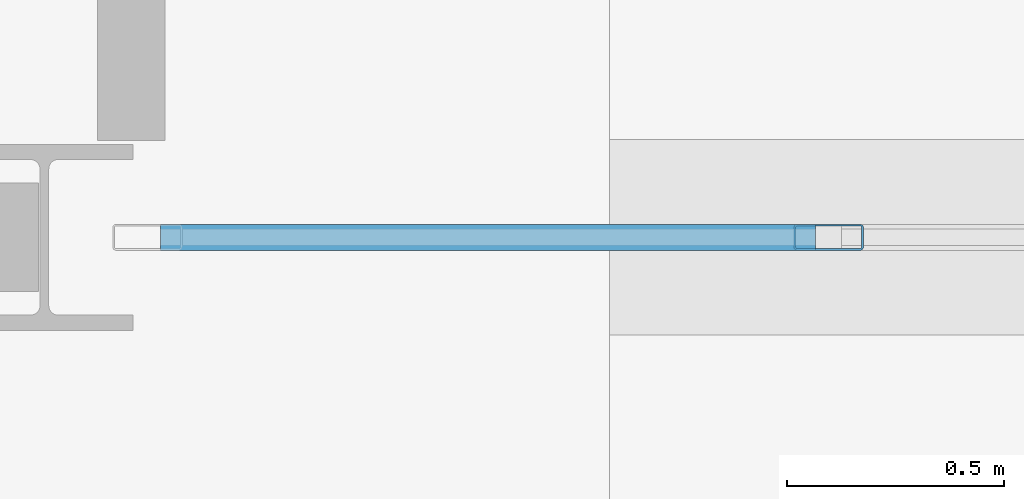
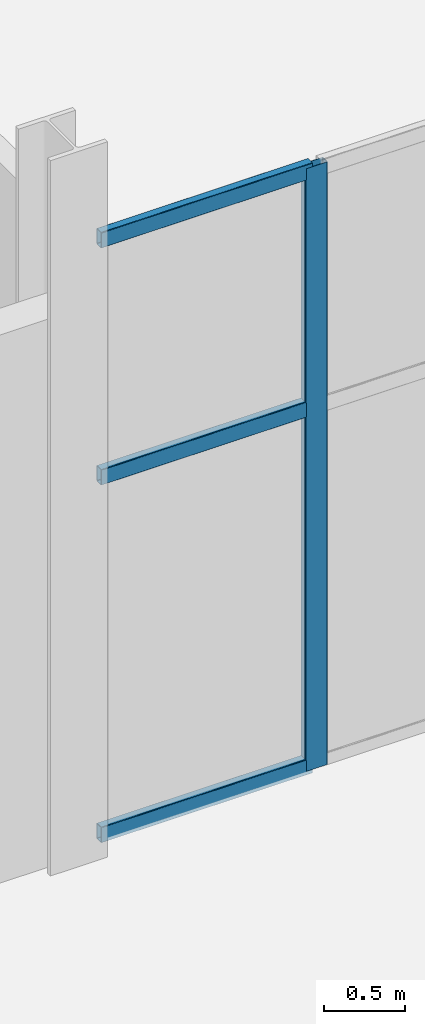
# One storey, part 25 of 95: 4 members, 1 element without a shape of its own.
"""IFC4 building model written with IfcOpenShell, lengths in metres."""

from ifc_helpers import new_model, si_unit, direction, frame, origin, origin_2d, place, context, subcontext, project, spatial, hollow_rectangle, extrude, material, material_profile, profile_set, type_object, element, aggregate, save


model = new_model("IFC4")

# Units and contexts
model_context = context("Model", 3, precision=1e-05, world=origin(), true_north=direction((0.0, 1.0)))
body_context = subcontext(model_context, "Body", "Model", "MODEL_VIEW")
ifc_project = project(units=[si_unit("LENGTHUNIT", "METRE"), si_unit("AREAUNIT", "SQUARE_METRE"), si_unit("VOLUMEUNIT", "CUBIC_METRE"), si_unit("PLANEANGLEUNIT", "RADIAN"), si_unit("MASSUNIT", "GRAM", prefix="KILO")], contexts=[model_context])

# Site, building, storey
site_placement = place(None, origin())
site = spatial("IfcSite", under=ifc_project, at=site_placement, CompositionType="ELEMENT")
building_placement = place(site_placement, origin())
building = spatial("IfcBuilding", under=site, at=building_placement, Name="Shengluoqiao Park Theatre", CompositionType="ELEMENT")
storey_placement = place(building_placement, origin())
storey = spatial("IfcBuildingStorey", under=building, at=storey_placement, Name="L00", CompositionType="ELEMENT", Elevation=0.0)

# Curtain wall, members
ifc_material = material(Name="Aluminium 6063-T6", Category="aluminium")
curtain_wall_type = type_object("IfcCurtainWallType", Name="ENV-CW-STUDIO", PredefinedType="NOTDEFINED", material=ifc_material)
curtain_wall_placement = place(storey_placement, origin())
curtain_wall = element("IfcCurtainWall", 1, at=curtain_wall_placement, inside=storey, type_object=curtain_wall_type, Name="L00 Curtain Wall CWX-L00-0012", PredefinedType="NOTDEFINED")
ifc_material_profile_1 = material_profile(ifc_material, hollow_rectangle(XDim=0.06005859375, YDim=0.159912109375, WallThickness=0.00390625, InnerFilletRadius=0.00390625, OuterFilletRadius=0.008056640625, at=origin_2d()), Name="ALU MULLION 160x60x4")
ifc_profile_set_1 = profile_set([ifc_material_profile_1], Name="Aluminium 6063-T6")
member_type_1 = type_object("IfcMemberType", Name="ENV-MUL-160", PredefinedType="MULLION", material=ifc_profile_set_1)
member_1_placement = place(storey_placement, frame((29.404541015625, 30.39990234375, 0.0), z_axis=(0.0, 0.0, 1.0), x_axis=(0.0, 1.0, 0.0)))
member_1 = element("IfcMember", 2, at=member_1_placement, type_object=member_type_1, Name="CW-02 mullion 2", PredefinedType="MULLION", context=body_context, shape_type="SweptSolid", body=[
    extrude(hollow_rectangle(XDim=0.06005859375, YDim=0.159912109375, WallThickness=0.00390625, InnerFilletRadius=0.00390625, OuterFilletRadius=0.008056640625, at=origin_2d()), origin(), (0.0, 0.0, 1.0), 4.550048828125),
])
ifc_material_profile_2 = material_profile(ifc_material, hollow_rectangle(XDim=0.06005859375, YDim=0.1201171875, WallThickness=0.00390625, InnerFilletRadius=0.00390625, OuterFilletRadius=0.008056640625, at=origin_2d()), Name="ALU TRANSOM 120x60x4")
ifc_profile_set_2 = profile_set([ifc_material_profile_2], Name="Aluminium 6063-T6")
member_type_2 = type_object("IfcMemberType", Name="ENV-TRN-120", PredefinedType="USERDEFINED", material=ifc_profile_set_2)
member_2_placement = place(storey_placement, frame((27.867431640625, 30.39990234375, 0.030029296875), z_axis=(1.0, 0.0, 0.0), x_axis=(0.0, 1.0, 0.0)))
member_2 = element("IfcMember", 3, at=member_2_placement, type_object=member_type_2, Name="CW-02 transom 1.1", ObjectType="TRANSOM", PredefinedType="USERDEFINED", context=body_context, shape_type="SweptSolid", body=[
    extrude(hollow_rectangle(XDim=0.06005859375, YDim=0.1201171875, WallThickness=0.00390625, InnerFilletRadius=0.00390625, OuterFilletRadius=0.008056640625, at=origin_2d()), origin(), (0.0, 0.0, 1.0), 1.507080078125),
])
member_3_placement = place(storey_placement, frame((27.867431640625, 30.39990234375, 2.72998046875), z_axis=(1.0, 0.0, 0.0), x_axis=(0.0, 1.0, 0.0)))
member_3 = element("IfcMember", 4, at=member_3_placement, type_object=member_type_2, Name="CW-02 transom 1.2", ObjectType="TRANSOM", PredefinedType="USERDEFINED", context=body_context, shape_type="SweptSolid", body=[
    extrude(hollow_rectangle(XDim=0.06005859375, YDim=0.1201171875, WallThickness=0.00390625, InnerFilletRadius=0.00390625, OuterFilletRadius=0.008056640625, at=origin_2d()), origin(), (0.0, 0.0, 1.0), 1.507080078125),
])
member_4_placement = place(storey_placement, frame((27.867431640625, 30.39990234375, 4.52001953125), z_axis=(1.0, 0.0, 0.0), x_axis=(0.0, 1.0, 0.0)))
member_4 = element("IfcMember", 5, at=member_4_placement, type_object=member_type_2, Name="CW-02 transom 1.3", ObjectType="TRANSOM", PredefinedType="USERDEFINED", context=body_context, shape_type="SweptSolid", body=[
    extrude(hollow_rectangle(XDim=0.06005859375, YDim=0.1201171875, WallThickness=0.00390625, InnerFilletRadius=0.00390625, OuterFilletRadius=0.008056640625, at=origin_2d()), origin(), (0.0, 0.0, 1.0), 1.507080078125),
])
aggregate(curtain_wall, [member_1, member_2, member_3, member_4])

save(model, "model.ifc")
